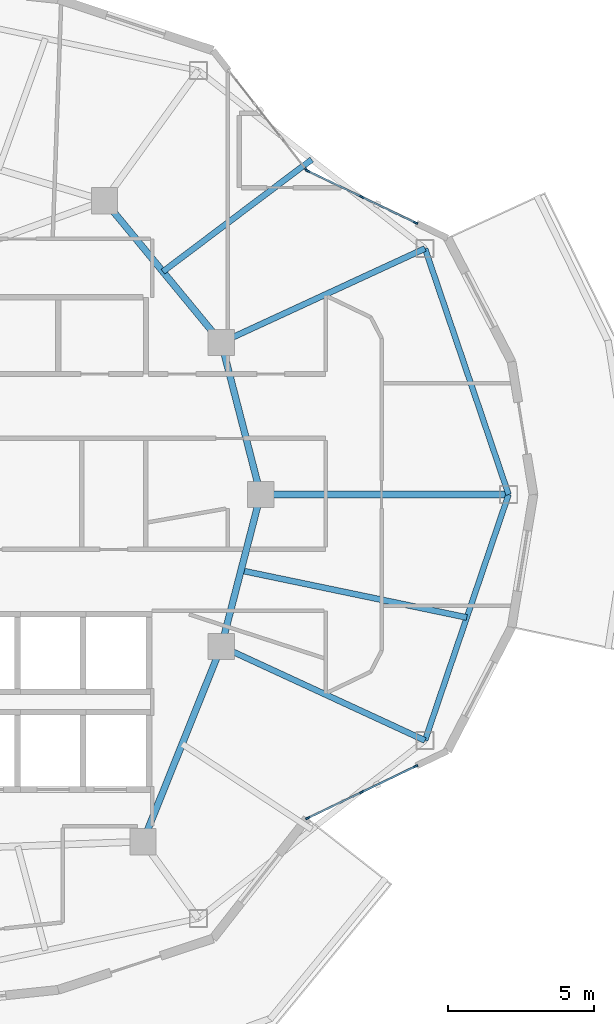
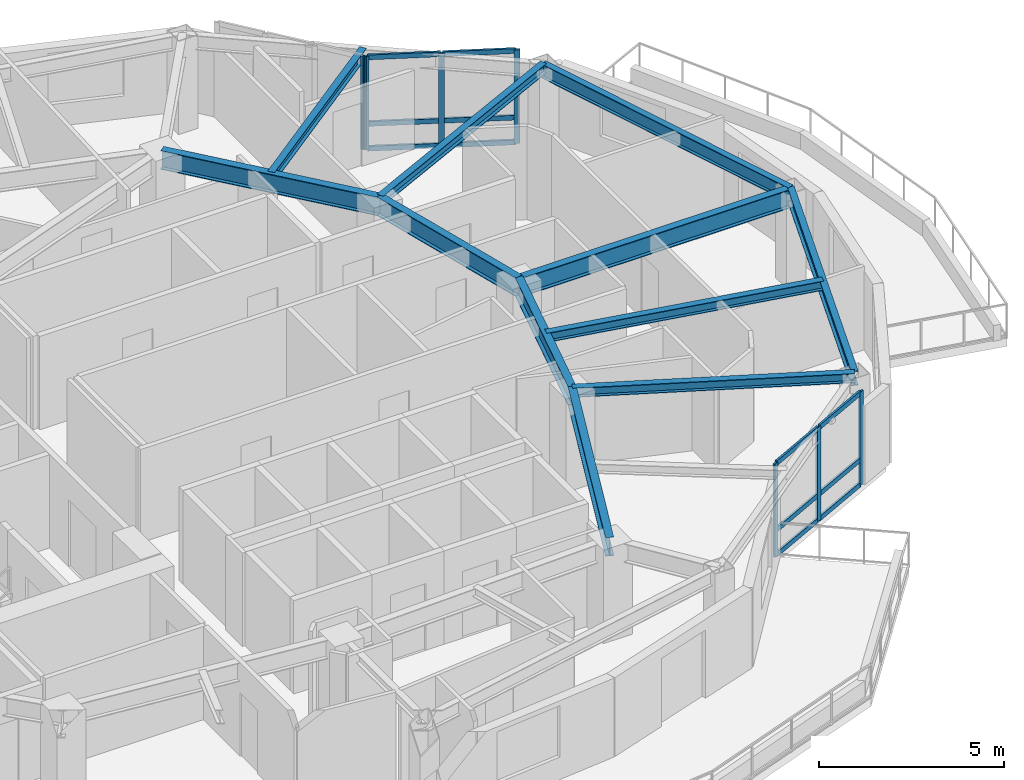
# One storey, part 2 of 13: 19 members, 11 beams, 3 elements without a shape of their own.
"""IFC4 building model written with IfcOpenShell, lengths in metres."""

import ifcopenshell
import ifcopenshell.guid

model = None  # the IFC model being written
_history = None  # IfcOwnerHistory: only IFC2X3 demands one
_inside = {}  # id of a spatial element -> (the spatial element, [elements in it])
_under = {}  # id of a project, library or spatial element -> (it, [spatial elements below it])
_declared = {}  # id of a project -> (the project, [libraries it declares])
_typed = {}  # id of a type object -> (the type object, [elements of that type])
_made_of = {}  # id of a material, layer set ... -> (it, [elements and type objects made of it])


def new_model(schema):
    """Start an empty IFC model of exactly this schema.

    Asked for "IFC4X3", IfcOpenShell would pick the latest addendum, in which some entities
    have other attributes; the version numbers below select the first issue.
    IFC2X3 requires an IfcOwnerHistory on every rooted entity: one is made here for all.
    """
    global model, _history
    if schema == "IFC4X3":
        model = ifcopenshell.file(schema_version=(4, 3, 0, 0))
    else:
        model = ifcopenshell.file(schema=schema)
    _inside.clear()
    _under.clear()
    _declared.clear()
    _typed.clear()
    _made_of.clear()
    _history = None
    if model.schema == "IFC2X3":
        org = make("IfcOrganization", Name="unknown")
        user = make(
            "IfcPersonAndOrganization",
            ThePerson=make("IfcPerson", FamilyName="unknown"),
            TheOrganization=org,
        )
        app = make(
            "IfcApplication",
            ApplicationDeveloper=org,
            Version="unknown",
            ApplicationFullName="unknown",
            ApplicationIdentifier="unknown",
        )
        _history = make(
            "IfcOwnerHistory",
            OwningUser=user,
            OwningApplication=app,
            ChangeAction="ADDED",
            CreationDate=0,
        )
    return model


def make(cls, **values):
    """One entity of the class cls with the attributes given. An attribute that is None is left unset."""
    return model.create_entity(
        cls, **{name: value for name, value in values.items() if value is not None}
    )


def rooted(cls, **values):
    """An entity with a GlobalId (a new one), such as an element, a storey or a relation."""
    return make(cls, GlobalId=ifcopenshell.guid.new(), OwnerHistory=_history, **values)


def si_unit(unit_type, name, prefix=None):
    """IfcSIUnit, for example si_unit("LENGTHUNIT", "METRE", prefix="MILLI")."""
    return make("IfcSIUnit", UnitType=unit_type, Prefix=prefix, Name=name)


def assignment(units):
    """IfcUnitAssignment: the units of a project."""
    return None if units is None else make("IfcUnitAssignment", Units=units)


def point(xyz):
    """IfcCartesianPoint."""
    return None if xyz is None else make("IfcCartesianPoint", Coordinates=xyz)


def direction(xyz):
    """IfcDirection."""
    return None if xyz is None else make("IfcDirection", DirectionRatios=xyz)


def frame(location, z_axis=None, x_axis=None):
    """IfcAxis2Placement3D, a coordinate frame: its origin and axes. An axis left out is left unset."""
    return make(
        "IfcAxis2Placement3D",
        Location=point(location),
        Axis=direction(z_axis),
        RefDirection=direction(x_axis),
    )


def frame_2d(location, x_axis=None):
    """IfcAxis2Placement2D, a coordinate frame in the plane: its origin and x axis."""
    return make(
        "IfcAxis2Placement2D", Location=point(location), RefDirection=direction(x_axis)
    )


def origin():
    """The frame at (0, 0, 0) with its axes left unset."""
    return frame((0.0, 0.0, 0.0))


def origin_2d():
    """The frame at (0, 0) in the plane with its x axis left unset."""
    return frame_2d((0.0, 0.0))


def place(relative_to, where):
    """IfcLocalPlacement: puts the frame where relative to a parent placement (None: the world)."""
    return make(
        "IfcLocalPlacement", PlacementRelTo=relative_to, RelativePlacement=where
    )


def context(
    kind, dimensions, precision=None, world=None, true_north=None, identifier=None
):
    """IfcGeometricRepresentationContext, for example the 3D "Model" context."""
    return make(
        "IfcGeometricRepresentationContext",
        ContextIdentifier=identifier,
        ContextType=kind,
        CoordinateSpaceDimension=dimensions,
        Precision=precision,
        WorldCoordinateSystem=world,
        TrueNorth=true_north,
    )


def subcontext(parent, identifier, kind, view, scale=None):
    """IfcGeometricRepresentationSubContext, for example "Body" below "Model"."""
    return make(
        "IfcGeometricRepresentationSubContext",
        ContextIdentifier=identifier,
        ContextType=kind,
        ParentContext=parent,
        TargetScale=scale,
        TargetView=view,
    )


def project(units=None, contexts=None):
    """IfcProject with its units and contexts."""
    return rooted(
        "IfcProject",
        Name="project",
        RepresentationContexts=contexts,
        UnitsInContext=assignment(units),
    )


def spatial(cls, under=None, at=None, **own):
    """A site, building, storey or space (cls), placed at a placement, below another one or the project."""
    s = rooted(cls, ObjectPlacement=at, **own)
    if under is not None:
        _under.setdefault(under.id(), (under, []))[1].append(s)
    return s


def profile(cls, at=None, kind="AREA", **sizes):
    """A parametric profile (cls). Its sizes go by their IFC names, for example OverallWidth=200.0."""
    return make(cls, ProfileType=kind, Position=at, **sizes)


def rectangle(**sizes):
    """IfcRectangleProfileDef."""
    return profile("IfcRectangleProfileDef", **sizes)


def i_section(**sizes):
    """IfcIShapeProfileDef."""
    return profile("IfcIShapeProfileDef", **sizes)


def extrude(swept, where, along, depth):
    """IfcExtrudedAreaSolid: the profile swept, set in the frame where, extruded along a direction by depth."""
    return make(
        "IfcExtrudedAreaSolid",
        SweptArea=swept,
        Position=where,
        ExtrudedDirection=direction(along),
        Depth=depth,
    )


def shape(context_of_items, identifier, shape_type, items):
    """IfcShapeRepresentation: the items that make up one representation, for example the "Body"."""
    return make(
        "IfcShapeRepresentation",
        ContextOfItems=context_of_items,
        RepresentationIdentifier=identifier,
        RepresentationType=shape_type,
        Items=items,
    )


def material(Name=None, Category=None):
    """IfcMaterial."""
    return make("IfcMaterial", Name=Name, Category=Category)


def layer(
    of_material, thickness, ventilated=None, Name=None, Category=None, Priority=None
):
    """IfcMaterialLayer: one layer of a wall or slab, of a material (None: an air gap)."""
    return make(
        "IfcMaterialLayer",
        Material=of_material,
        LayerThickness=thickness,
        IsVentilated=ventilated,
        Name=Name,
        Category=Category,
        Priority=Priority,
    )


def layer_set(layers, Name=None):
    """IfcMaterialLayerSet."""
    return make("IfcMaterialLayerSet", MaterialLayers=layers, LayerSetName=Name)


def material_profile(
    of_material, cross_section, Name=None, Category=None, Priority=None
):
    """IfcMaterialProfile: a cross section and its material."""
    return make(
        "IfcMaterialProfile",
        Name=Name,
        Material=of_material,
        Profile=cross_section,
        Priority=Priority,
        Category=Category,
    )


def profile_set(profiles, Name=None, composite=None):
    """IfcMaterialProfileSet."""
    return make(
        "IfcMaterialProfileSet",
        Name=Name,
        MaterialProfiles=profiles,
        CompositeProfile=composite,
    )


def made_of(thing, what):
    """Note that an element or type object is made of a material, layer set ...; save() writes the relation."""
    if what is not None:
        _made_of.setdefault(what.id(), (what, []))[1].append(thing)
    return thing


def type_object(cls, material=None, **own):
    """A type object (cls), such as IfcWallType, which elements share."""
    return made_of(rooted(cls, **own), material)


def element(
    cls,
    number,
    at=None,
    inside=None,
    cuts=None,
    type_object=None,
    material=None,
    context=None,
    identifier="Body",
    shape_type=None,
    held_by="IfcProductDefinitionShape",
    body=None,
    shapes=None,
    **own,
):
    """One element of the class cls, such as IfcWall. Its Tag is "e" and its number.

    at: its placement. inside: the storey or other place that contains it. cuts: it is an
    opening in that element (IfcRelVoidsElement). A single representation is given by context,
    identifier, shape_type and body (its items); several are given by shapes. held_by: the class
    of the entity that holds the representations. save() writes the other relations.
    """
    e = rooted(cls, Tag="e%d" % number, ObjectPlacement=at, **own)
    if body is not None:
        shapes = [shape(context, identifier, shape_type, body)]
    if shapes is not None:
        e.Representation = make(held_by, Representations=shapes)
    if inside is not None:
        _inside.setdefault(inside.id(), (inside, []))[1].append(e)
    if cuts is not None:
        rooted(
            "IfcRelVoidsElement", RelatingBuildingElement=cuts, RelatedOpeningElement=e
        )
    if type_object is not None:
        _typed.setdefault(type_object.id(), (type_object, []))[1].append(e)
    return made_of(e, material)


def aggregate(whole, parts):
    """IfcRelAggregates: a whole, such as a stair, and the parts it consists of."""
    return rooted("IfcRelAggregates", RelatingObject=whole, RelatedObjects=parts)


def save(model, path):
    """Write the relations noted so far, then the file.

    IfcRelAggregates (storeys below a building ...), IfcRelContainedInSpatialStructure (elements
    in a storey), IfcRelDefinesByType, IfcRelAssociatesMaterial and IfcRelDeclares: one each for
    every whole, place, type object, material and project.
    """
    for whole, parts in _under.values():
        aggregate(whole, parts)
    for where, things in _inside.values():
        rooted(
            "IfcRelContainedInSpatialStructure",
            RelatedElements=things,
            RelatingStructure=where,
        )
    for kind, things in _typed.values():
        rooted("IfcRelDefinesByType", RelatedObjects=things, RelatingType=kind)
    for what, things in _made_of.values():
        rooted("IfcRelAssociatesMaterial", RelatedObjects=things, RelatingMaterial=what)
    for by, libraries in _declared.values():
        rooted("IfcRelDeclares", RelatingContext=by, RelatedDefinitions=libraries)
    model.write(path)


model = new_model("IFC4")

# Units and contexts
model_context = context("Model", 3, precision=1e-05, world=origin(), true_north=direction((0.0, 1.0)))
body_context = subcontext(model_context, "Body", "Model", "MODEL_VIEW")
ifc_project = project(units=[si_unit("LENGTHUNIT", "METRE"), si_unit("AREAUNIT", "SQUARE_METRE"), si_unit("VOLUMEUNIT", "CUBIC_METRE"), si_unit("PLANEANGLEUNIT", "RADIAN"), si_unit("MASSUNIT", "GRAM", prefix="KILO")], contexts=[model_context])

# Site, building, storey
site_placement = place(None, origin())
site = spatial("IfcSite", under=ifc_project, at=site_placement, CompositionType="ELEMENT")
building_placement = place(site_placement, origin())
building = spatial("IfcBuilding", under=site, at=building_placement, Name="Kolvaren Gate Tower and Convention Centre", CompositionType="ELEMENT")
storey_placement = place(building_placement, frame((0.0, 0.0, 183.5)))
storey = spatial("IfcBuildingStorey", under=building, at=storey_placement, Name="L48", CompositionType="ELEMENT", Elevation=183.5)

# Curtain wall, members
ifc_material_1 = material(Name="Anodized Architectural Aluminium Alloy 6063-T6", Category="aluminium")
ifc_layer = layer(ifc_material_1, 0.159912109375)
ifc_layer_set = layer_set([ifc_layer], Name="Anodized Architectural Aluminium Alloy 6063-T6")
curtain_wall_type = type_object("IfcCurtainWallType", Name="CW-HTL-UNIT", PredefinedType="NOTDEFINED", material=ifc_layer_set)
curtain_wall_1_placement = place(storey_placement, origin())
curtain_wall_1 = element("IfcCurtainWall", 1, at=curtain_wall_1_placement, inside=storey, type_object=curtain_wall_type, Name="Tower L48 Unitised Curtain Wall CW-HTL-UNIT Bay 02", PredefinedType="NOTDEFINED")
ifc_material_profile_1 = material_profile(ifc_material_1, rectangle(XDim=0.06494140625, YDim=0.159912109375, at=origin_2d()), Name="CW-MEM-MUL-160")
ifc_profile_set_1 = profile_set([ifc_material_profile_1], Name="Anodized Architectural Aluminium Alloy 6063-T6")
member_type_1 = type_object("IfcMemberType", Name="CW-MEM-MUL-160", PredefinedType="MULLION", material=ifc_profile_set_1)
member_1_placement = place(storey_placement, frame((44.3427734375, 38.072021484375, 0.0), z_axis=(0.0, 0.0, 1.0), x_axis=(0.433073742482, 0.901358493371, 0.0)))
member_1 = element("IfcMember", 2, at=member_1_placement, type_object=member_type_1, Name="CW-03 mullion 1", PredefinedType="MULLION", context=body_context, shape_type="SweptSolid", body=[
    extrude(rectangle(XDim=0.06494140625, YDim=0.159912109375, at=origin_2d()), origin(), (0.0, 0.0, 1.0), 3.080078125),
])
member_2_placement = place(storey_placement, frame((46.18603515625, 37.186279296875, 0.0), z_axis=(0.0, 0.0, 1.0), x_axis=(0.433073742482, 0.901358493371, 0.0)))
member_2 = element("IfcMember", 3, at=member_2_placement, type_object=member_type_1, Name="CW-03 mullion 2", PredefinedType="MULLION", context=body_context, shape_type="SweptSolid", body=[
    extrude(rectangle(XDim=0.06494140625, YDim=0.159912109375, at=origin_2d()), origin(), (0.0, 0.0, 1.0), 3.080078125),
])
member_3_placement = place(storey_placement, frame((48.029296875, 36.30078125, 0.0), z_axis=(0.0, 0.0, 1.0), x_axis=(0.433073742482, 0.901358493371, 0.0)))
member_3 = element("IfcMember", 4, at=member_3_placement, type_object=member_type_1, Name="CW-03 mullion 3", PredefinedType="MULLION", context=body_context, shape_type="SweptSolid", body=[
    extrude(rectangle(XDim=0.06494140625, YDim=0.159912109375, at=origin_2d()), origin(), (0.0, 0.0, 1.0), 3.080078125),
])

# Curtain wall, member
curtain_wall_2_placement = place(storey_placement, origin())
curtain_wall_2 = element("IfcCurtainWall", 5, at=curtain_wall_2_placement, inside=storey, type_object=curtain_wall_type, Name="Tower L48 Unitised Curtain Wall CW-HTL-UNIT Bay 03", PredefinedType="NOTDEFINED")
member_4_placement = place(storey_placement, frame((44.29345703125, 38.111572265625, 0.0), z_axis=(0.0, 0.0, 1.0), x_axis=(0.787403535469, 0.616437890084, 0.0)))
member_4 = element("IfcMember", 6, at=member_4_placement, type_object=member_type_1, Name="CW-03 mullion 4", PredefinedType="MULLION", context=body_context, shape_type="SweptSolid", body=[
    extrude(rectangle(XDim=0.06494140625, YDim=0.159912109375, at=origin_2d()), origin(), (0.0, 0.0, 1.0), 3.080078125),
])
aggregate(curtain_wall_2, [member_4])

# Curtain wall, members
curtain_wall_3_placement = place(storey_placement, origin())
curtain_wall_3 = element("IfcCurtainWall", 7, at=curtain_wall_3_placement, inside=storey, type_object=curtain_wall_type, Name="Tower L48 Unitised Curtain Wall CW-HTL-UNIT Bay 21", PredefinedType="NOTDEFINED")
member_5_placement = place(storey_placement, frame((44.3427734375, 15.927978515625, 0.0), z_axis=(0.0, 0.0, 1.0), x_axis=(-0.433073742482, 0.901358493371, 0.0)))
member_5 = element("IfcMember", 8, at=member_5_placement, type_object=member_type_1, Name="CW-03 mullion 1", PredefinedType="MULLION", context=body_context, shape_type="SweptSolid", body=[
    extrude(rectangle(XDim=0.06494140625, YDim=0.159912109375, at=origin_2d()), origin(), (0.0, 0.0, 1.0), 3.080078125),
])
member_6_placement = place(storey_placement, frame((46.18603515625, 16.813720703125, 0.0), z_axis=(0.0, 0.0, 1.0), x_axis=(-0.433073742482, 0.901358493371, 0.0)))
member_6 = element("IfcMember", 9, at=member_6_placement, type_object=member_type_1, Name="CW-03 mullion 2", PredefinedType="MULLION", context=body_context, shape_type="SweptSolid", body=[
    extrude(rectangle(XDim=0.06494140625, YDim=0.159912109375, at=origin_2d()), origin(), (0.0, 0.0, 1.0), 3.080078125),
])
member_7_placement = place(storey_placement, frame((48.029296875, 17.69921875, 0.0), z_axis=(0.0, 0.0, 1.0), x_axis=(-0.433073742482, 0.901358493371, 0.0)))
member_7 = element("IfcMember", 10, at=member_7_placement, type_object=member_type_1, Name="CW-03 mullion 3", PredefinedType="MULLION", context=body_context, shape_type="SweptSolid", body=[
    extrude(rectangle(XDim=0.06494140625, YDim=0.159912109375, at=origin_2d()), origin(), (0.0, 0.0, 1.0), 3.080078125),
])

# Member
ifc_material_profile_2 = material_profile(ifc_material_1, rectangle(XDim=0.06494140625, YDim=0.159912109375, at=origin_2d()), Name="CW-MEM-TRN-160")
ifc_profile_set_2 = profile_set([ifc_material_profile_2], Name="Anodized Architectural Aluminium Alloy 6063-T6")
member_type_2 = type_object("IfcMemberType", Name="CW-MEM-TRN-160", PredefinedType="USERDEFINED", material=ifc_profile_set_2)
member_8_placement = place(storey_placement, frame((44.3720703125, 38.057861328125, 0.032470703125), z_axis=(0.901369067985, -0.433051732799, 0.0), x_axis=(0.433051732799, 0.901369067985, 0.0)))
member_8 = element("IfcMember", 11, at=member_8_placement, type_object=member_type_2, Name="CW-03 transom 1.1", ObjectType="TRANSOM", PredefinedType="USERDEFINED", context=body_context, shape_type="SweptSolid", body=[
    extrude(rectangle(XDim=0.06494140625, YDim=0.159912109375, at=origin_2d()), origin(), (0.0, 0.0, 1.0), 1.97998046875),
])

member_9_placement = place(storey_placement, frame((44.3720703125, 38.057861328125, 0.85009765625), z_axis=(0.901369067985, -0.433051732799, 0.0), x_axis=(0.433051732799, 0.901369067985, 0.0)))
member_9 = element("IfcMember", 12, at=member_9_placement, type_object=member_type_2, Name="CW-03 transom 1.2", ObjectType="TRANSOM", PredefinedType="USERDEFINED", context=body_context, shape_type="SweptSolid", body=[
    extrude(rectangle(XDim=0.06494140625, YDim=0.159912109375, at=origin_2d()), origin(), (0.0, 0.0, 1.0), 1.97998046875),
])

member_10_placement = place(storey_placement, frame((44.3720703125, 38.057861328125, 3.047607421875), z_axis=(0.901369067985, -0.433051732799, 0.0), x_axis=(0.433051732799, 0.901369067985, 0.0)))
member_10 = element("IfcMember", 13, at=member_10_placement, type_object=member_type_2, Name="CW-03 transom 1.3", ObjectType="TRANSOM", PredefinedType="USERDEFINED", context=body_context, shape_type="SweptSolid", body=[
    extrude(rectangle(XDim=0.06494140625, YDim=0.159912109375, at=origin_2d()), origin(), (0.0, 0.0, 1.0), 1.97998046875),
])

member_11_placement = place(storey_placement, frame((46.21533203125, 37.172119140625, 0.032470703125), z_axis=(0.901369067985, -0.433051732799, 0.0), x_axis=(0.433051732799, 0.901369067985, 0.0)))
member_11 = element("IfcMember", 14, at=member_11_placement, type_object=member_type_2, Name="CW-03 transom 2.1", ObjectType="TRANSOM", PredefinedType="USERDEFINED", context=body_context, shape_type="SweptSolid", body=[
    extrude(rectangle(XDim=0.06494140625, YDim=0.159912109375, at=origin_2d()), origin(), (0.0, 0.0, 1.0), 1.97998046875),
])

member_12_placement = place(storey_placement, frame((46.21533203125, 37.172119140625, 0.85009765625), z_axis=(0.901369067985, -0.433051732799, 0.0), x_axis=(0.433051732799, 0.901369067985, 0.0)))
member_12 = element("IfcMember", 15, at=member_12_placement, type_object=member_type_2, Name="CW-03 transom 2.2", ObjectType="TRANSOM", PredefinedType="USERDEFINED", context=body_context, shape_type="SweptSolid", body=[
    extrude(rectangle(XDim=0.06494140625, YDim=0.159912109375, at=origin_2d()), origin(), (0.0, 0.0, 1.0), 1.97998046875),
])

member_13_placement = place(storey_placement, frame((46.21533203125, 37.172119140625, 3.047607421875), z_axis=(0.901369067985, -0.433051732799, 0.0), x_axis=(0.433051732799, 0.901369067985, 0.0)))
member_13 = element("IfcMember", 16, at=member_13_placement, type_object=member_type_2, Name="CW-03 transom 2.3", ObjectType="TRANSOM", PredefinedType="USERDEFINED", context=body_context, shape_type="SweptSolid", body=[
    extrude(rectangle(XDim=0.06494140625, YDim=0.159912109375, at=origin_2d()), origin(), (0.0, 0.0, 1.0), 1.97998046875),
])

aggregate(curtain_wall_1, [member_1, member_2, member_3, member_8, member_9, member_10, member_11, member_12, member_13])

member_14_placement = place(storey_placement, frame((44.3720703125, 15.942138671875, 0.032470703125), z_axis=(0.901369067985, 0.433051732799, 0.0), x_axis=(-0.433051732799, 0.901369067985, 0.0)))
member_14 = element("IfcMember", 17, at=member_14_placement, type_object=member_type_2, Name="CW-03 transom 1.1", ObjectType="TRANSOM", PredefinedType="USERDEFINED", context=body_context, shape_type="SweptSolid", body=[
    extrude(rectangle(XDim=0.06494140625, YDim=0.159912109375, at=origin_2d()), origin(), (0.0, 0.0, 1.0), 1.97998046875),
])

member_15_placement = place(storey_placement, frame((44.3720703125, 15.942138671875, 0.85009765625), z_axis=(0.901369067985, 0.433051732799, 0.0), x_axis=(-0.433051732799, 0.901369067985, 0.0)))
member_15 = element("IfcMember", 18, at=member_15_placement, type_object=member_type_2, Name="CW-03 transom 1.2", ObjectType="TRANSOM", PredefinedType="USERDEFINED", context=body_context, shape_type="SweptSolid", body=[
    extrude(rectangle(XDim=0.06494140625, YDim=0.159912109375, at=origin_2d()), origin(), (0.0, 0.0, 1.0), 1.97998046875),
])

member_16_placement = place(storey_placement, frame((44.3720703125, 15.942138671875, 3.047607421875), z_axis=(0.901369067985, 0.433051732799, 0.0), x_axis=(-0.433051732799, 0.901369067985, 0.0)))
member_16 = element("IfcMember", 19, at=member_16_placement, type_object=member_type_2, Name="CW-03 transom 1.3", ObjectType="TRANSOM", PredefinedType="USERDEFINED", context=body_context, shape_type="SweptSolid", body=[
    extrude(rectangle(XDim=0.06494140625, YDim=0.159912109375, at=origin_2d()), origin(), (0.0, 0.0, 1.0), 1.97998046875),
])

member_17_placement = place(storey_placement, frame((46.21533203125, 16.827880859375, 0.032470703125), z_axis=(0.901369067985, 0.433051732799, 0.0), x_axis=(-0.433051732799, 0.901369067985, 0.0)))
member_17 = element("IfcMember", 20, at=member_17_placement, type_object=member_type_2, Name="CW-03 transom 2.1", ObjectType="TRANSOM", PredefinedType="USERDEFINED", context=body_context, shape_type="SweptSolid", body=[
    extrude(rectangle(XDim=0.06494140625, YDim=0.159912109375, at=origin_2d()), origin(), (0.0, 0.0, 1.0), 1.97998046875),
])

member_18_placement = place(storey_placement, frame((46.21533203125, 16.827880859375, 0.85009765625), z_axis=(0.901369067985, 0.433051732799, 0.0), x_axis=(-0.433051732799, 0.901369067985, 0.0)))
member_18 = element("IfcMember", 21, at=member_18_placement, type_object=member_type_2, Name="CW-03 transom 2.2", ObjectType="TRANSOM", PredefinedType="USERDEFINED", context=body_context, shape_type="SweptSolid", body=[
    extrude(rectangle(XDim=0.06494140625, YDim=0.159912109375, at=origin_2d()), origin(), (0.0, 0.0, 1.0), 1.97998046875),
])

member_19_placement = place(storey_placement, frame((46.21533203125, 16.827880859375, 3.047607421875), z_axis=(0.901369067985, 0.433051732799, 0.0), x_axis=(-0.433051732799, 0.901369067985, 0.0)))
member_19 = element("IfcMember", 22, at=member_19_placement, type_object=member_type_2, Name="CW-03 transom 2.3", ObjectType="TRANSOM", PredefinedType="USERDEFINED", context=body_context, shape_type="SweptSolid", body=[
    extrude(rectangle(XDim=0.06494140625, YDim=0.159912109375, at=origin_2d()), origin(), (0.0, 0.0, 1.0), 1.97998046875),
])

aggregate(curtain_wall_3, [member_5, member_6, member_7, member_14, member_15, member_16, member_17, member_18, member_19])

# Beams
ifc_material_2 = material(Name="Structural steel ASTM A992 Grade 345 MPa", Category="steel")
ifc_material_profile_3 = material_profile(ifc_material_2, i_section(OverallWidth=0.22998046875, OverallDepth=0.616943359375, WebThickness=0.01318359375, FlangeThickness=0.022216796875, at=origin_2d()), Name="W610X140")
ifc_profile_set_3 = profile_set([ifc_material_profile_3], Name="Structural steel ASTM A992 Grade 345 MPa")
beam_type_1 = type_object("IfcBeamType", Name="STR-BM-W610X140", PredefinedType="BEAM", material=ifc_profile_set_3)
beam_1_placement = place(storey_placement, frame((42.72509765625, 27.0, 2.771484375), z_axis=(-0.250091133936, -0.968222301296, 0.0), x_axis=(0.968222301296, -0.250091133936, 0.0)))
element("IfcBeam", 23, at=beam_1_placement, inside=storey, type_object=beam_type_1, Name="Tower L48 Primary Ring Girder G-01", PredefinedType="BEAM", context=body_context, shape_type="SweptSolid", body=[
    extrude(i_section(OverallWidth=0.22998046875, OverallDepth=0.616943359375, WebThickness=0.01318359375, FlangeThickness=0.022216796875, at=origin_2d()), origin(), (0.0, 0.0, 1.0), 5.3701171875),
])
beam_2_placement = place(storey_placement, frame((41.382080078125, 32.199462890625, 2.771484375), z_axis=(-0.635884066011, 0.771784590798, 0.0), x_axis=(-0.771784590798, -0.635884066011, 0.0)))
element("IfcBeam", 24, at=beam_2_placement, inside=storey, type_object=beam_type_1, Name="Tower L48 Primary Ring Girder G-02", PredefinedType="BEAM", context=body_context, shape_type="SweptSolid", body=[
    extrude(i_section(OverallWidth=0.22998046875, OverallDepth=0.616943359375, WebThickness=0.01318359375, FlangeThickness=0.022216796875, at=origin_2d()), origin(), (0.0, 0.0, 1.0), 6.291259765625),
])
beam_3_placement = place(storey_placement, frame((38.6982421875, 15.12060546875, 2.771484375), z_axis=(0.372811100169, 0.927907260232, 0.0), x_axis=(-0.927907260232, 0.372811100169, 0.0)))
element("IfcBeam", 25, at=beam_3_placement, inside=storey, type_object=beam_type_1, Name="Tower L48 Primary Ring Girder G-09", PredefinedType="BEAM", context=body_context, shape_type="SweptSolid", body=[
    extrude(i_section(OverallWidth=0.22998046875, OverallDepth=0.616943359375, WebThickness=0.01318359375, FlangeThickness=0.022216796875, at=origin_2d()), origin(), (0.0, 0.0, 1.0), 7.198974609375),
])
beam_4_placement = place(storey_placement, frame((42.72509765625, 27.0, 2.771484375), z_axis=(-0.250091133936, 0.968222301296, 0.0), x_axis=(-0.968222301296, -0.250091133936, 0.0)))
element("IfcBeam", 26, at=beam_4_placement, inside=storey, type_object=beam_type_1, Name="Tower L48 Primary Ring Girder G-12", PredefinedType="BEAM", context=body_context, shape_type="SweptSolid", body=[
    extrude(i_section(OverallWidth=0.22998046875, OverallDepth=0.616943359375, WebThickness=0.01318359375, FlangeThickness=0.022216796875, at=origin_2d()), origin(), (0.0, 0.0, 1.0), 5.3701171875),
])
beam_5_placement = place(storey_placement, frame((42.72509765625, 27.0, 2.771484375), z_axis=(1.0, 0.0, 0.0), x_axis=(0.0, 1.0, 0.0)))
element("IfcBeam", 27, at=beam_5_placement, inside=storey, type_object=beam_type_1, Name="Tower L48 Radial Floor Girder RB-01", PredefinedType="BEAM", context=body_context, shape_type="SweptSolid", body=[
    extrude(i_section(OverallWidth=0.22998046875, OverallDepth=0.616943359375, WebThickness=0.01318359375, FlangeThickness=0.022216796875, at=origin_2d()), origin(), (0.0, 0.0, 1.0), 8.4873046875),
])
ifc_material_profile_4 = material_profile(ifc_material_2, i_section(OverallWidth=0.205078125, OverallDepth=0.31005859375, WebThickness=0.009521484375, FlangeThickness=0.016357421875, at=origin_2d()), Name="W310X74")
ifc_profile_set_4 = profile_set([ifc_material_profile_4], Name="Structural steel ASTM A992 Grade 345 MPa")
beam_type_2 = type_object("IfcBeamType", Name="STR-JS-W310X74", PredefinedType="JOIST", material=ifc_profile_set_4)
for number, where, z_axis, x_axis, name in (
    (28, (41.382080078125, 32.199462890625, 2.925048828125), (0.907838349939, 0.419320319542, 0.0), (-0.419320319542, 0.907838349939, 0.0), "Tower L48 Radial Floor Girder RB-02"),
    (29, (41.382080078125, 21.800537109375, 2.925048828125), (0.907838349939, -0.419320319542, 0.0), (0.419320319542, 0.907838349939, 0.0), "Tower L48 Radial Floor Girder RB-12"),
):
    element("IfcBeam", number, at=place(storey_placement, frame(where, z_axis=z_axis, x_axis=x_axis)), inside=storey, type_object=beam_type_2, Name=name, PredefinedType="JOIST", context=body_context, shape_type="SweptSolid", body=[
        extrude(i_section(OverallWidth=0.205078125, OverallDepth=0.31005859375, WebThickness=0.009521484375, FlangeThickness=0.016357421875, at=origin_2d()), origin(), (0.0, 0.0, 1.0), 7.67724609375),
    ])
beam_6_placement = place(storey_placement, frame((39.3818359375, 34.627197265625, 2.925048828125), z_axis=(0.798665513939, 0.601775204577, 0.0), x_axis=(-0.601775204577, 0.798665513939, 0.0)))
element("IfcBeam", 30, at=beam_6_placement, inside=storey, type_object=beam_type_2, Name="Tower L48 Secondary Composite Floor Joist J-02.1", PredefinedType="JOIST", context=body_context, shape_type="SweptSolid", body=[
    extrude(i_section(OverallWidth=0.205078125, OverallDepth=0.31005859375, WebThickness=0.009521484375, FlangeThickness=0.016357421875, at=origin_2d()), origin(), (0.0, 0.0, 1.0), 6.3759765625),
])
beam_7_placement = place(storey_placement, frame((42.0537109375, 24.400146484375, 2.925048828125), z_axis=(0.978997655145, -0.203871506641, 0.0), x_axis=(0.203871506641, 0.978997655145, 0.0)))
element("IfcBeam", 31, at=beam_7_placement, inside=storey, type_object=beam_type_2, Name="Tower L48 Secondary Composite Floor Joist J-12.1", PredefinedType="JOIST", context=body_context, shape_type="SweptSolid", body=[
    extrude(i_section(OverallWidth=0.205078125, OverallDepth=0.31005859375, WebThickness=0.009521484375, FlangeThickness=0.016357421875, at=origin_2d()), origin(), (0.0, 0.0, 1.0), 7.89404296875),
])
ifc_material_profile_5 = material_profile(ifc_material_2, i_section(OverallWidth=0.194091796875, OverallDepth=0.468994140625, WebThickness=0.0126953125, FlangeThickness=0.0205078125, at=origin_2d()), Name="W460X106")
ifc_profile_set_5 = profile_set([ifc_material_profile_5], Name="Structural steel ASTM A992 Grade 345 MPa")
beam_type_3 = type_object("IfcBeamType", Name="STR-SP-W460X106", PredefinedType="SPANDREL", material=ifc_profile_set_5)
for number, where, z_axis, x_axis, name in (
    (32, (51.21240234375, 27.0, 2.845458984375), (-0.321725023609, 0.946833147489, 0.0), (-0.946833147489, -0.321725023609, 0.0), "Tower L48 Perimeter Spandrel Beam SP-01"),
    (33, (48.351806640625, 18.581298828125, 2.845458984375), (0.321725023609, 0.946833147489, 0.0), (-0.946833147489, 0.321725023609, 0.0), "Tower L48 Perimeter Spandrel Beam SP-12"),
):
    element("IfcBeam", number, at=place(storey_placement, frame(where, z_axis=z_axis, x_axis=x_axis)), inside=storey, type_object=beam_type_3, Name=name, PredefinedType="SPANDREL", context=body_context, shape_type="SweptSolid", body=[
        extrude(i_section(OverallWidth=0.194091796875, OverallDepth=0.468994140625, WebThickness=0.0126953125, FlangeThickness=0.0205078125, at=origin_2d()), origin(), (0.0, 0.0, 1.0), 8.891357421875),
    ])

save(model, "model.ifc")
